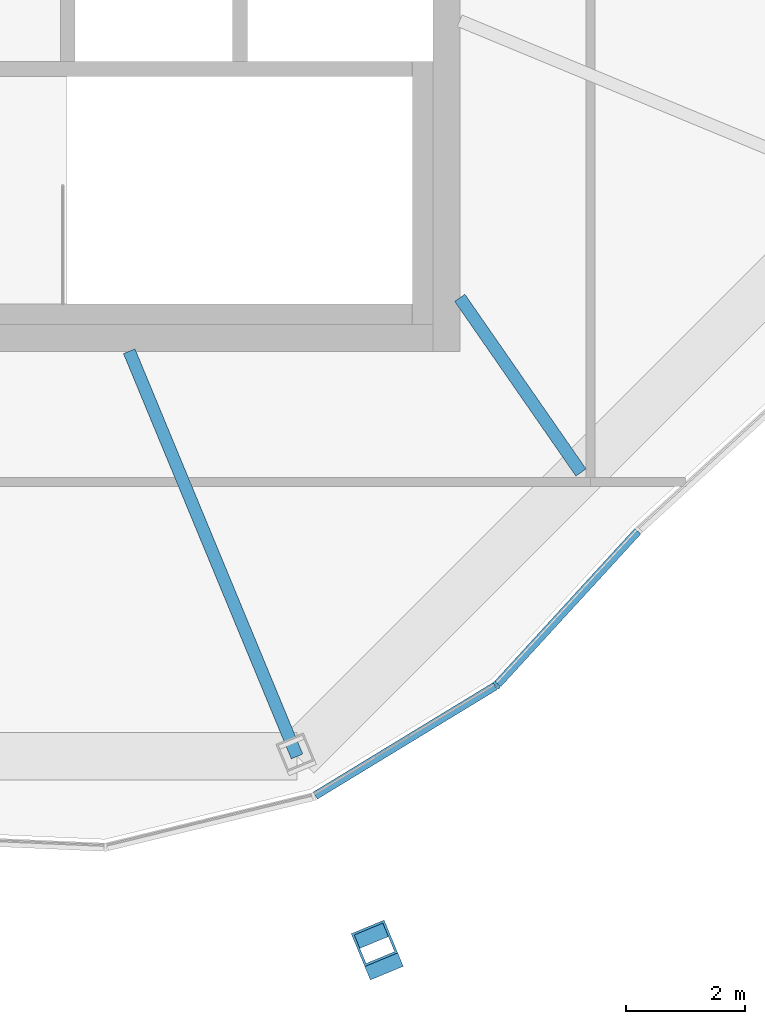
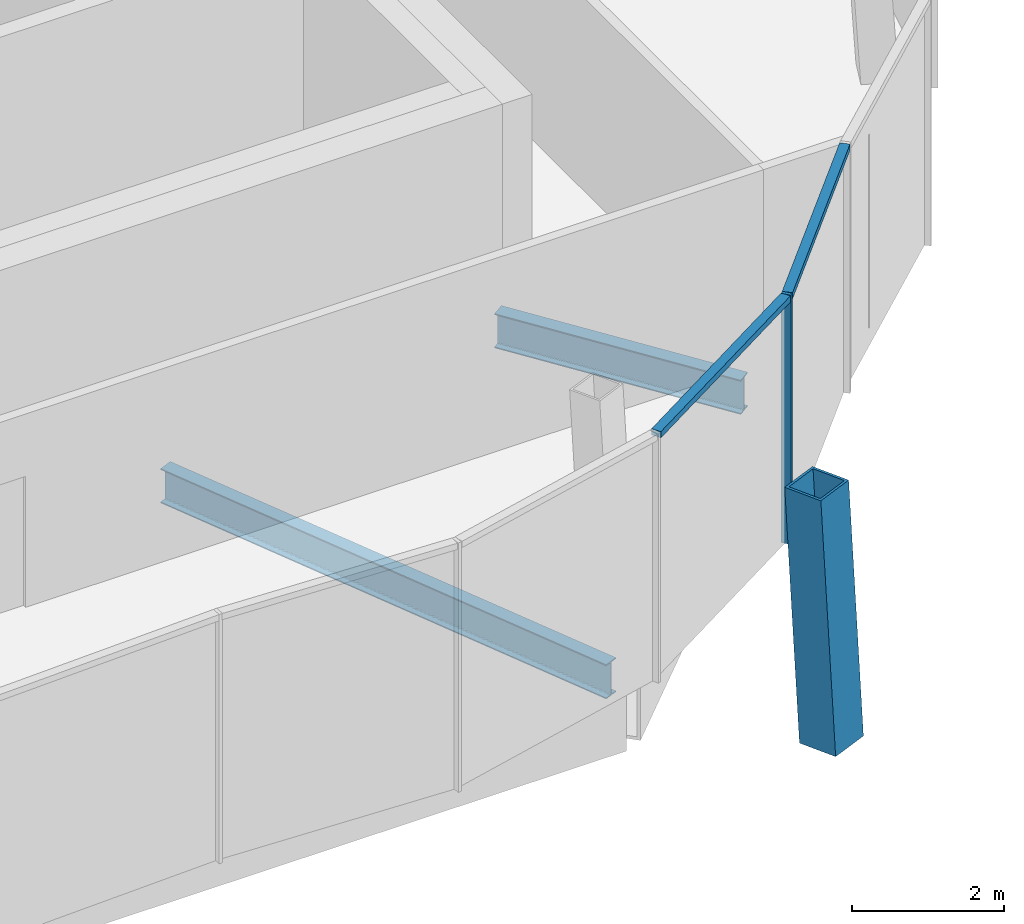
# One storey, part 3 of 23: 4 members, 2 beams, 1 element without a shape of its own.
"""IFC4 building model written with IfcOpenShell, lengths in metres."""

import ifcopenshell
import ifcopenshell.guid

model = None  # the IFC model being written
_history = None  # IfcOwnerHistory: only IFC2X3 demands one
_inside = {}  # id of a spatial element -> (the spatial element, [elements in it])
_under = {}  # id of a project, library or spatial element -> (it, [spatial elements below it])
_declared = {}  # id of a project -> (the project, [libraries it declares])
_typed = {}  # id of a type object -> (the type object, [elements of that type])
_made_of = {}  # id of a material, layer set ... -> (it, [elements and type objects made of it])


def new_model(schema):
    """Start an empty IFC model of exactly this schema.

    Asked for "IFC4X3", IfcOpenShell would pick the latest addendum, in which some entities
    have other attributes; the version numbers below select the first issue.
    IFC2X3 requires an IfcOwnerHistory on every rooted entity: one is made here for all.
    """
    global model, _history
    if schema == "IFC4X3":
        model = ifcopenshell.file(schema_version=(4, 3, 0, 0))
    else:
        model = ifcopenshell.file(schema=schema)
    _inside.clear()
    _under.clear()
    _declared.clear()
    _typed.clear()
    _made_of.clear()
    _history = None
    if model.schema == "IFC2X3":
        org = make("IfcOrganization", Name="unknown")
        user = make(
            "IfcPersonAndOrganization",
            ThePerson=make("IfcPerson", FamilyName="unknown"),
            TheOrganization=org,
        )
        app = make(
            "IfcApplication",
            ApplicationDeveloper=org,
            Version="unknown",
            ApplicationFullName="unknown",
            ApplicationIdentifier="unknown",
        )
        _history = make(
            "IfcOwnerHistory",
            OwningUser=user,
            OwningApplication=app,
            ChangeAction="ADDED",
            CreationDate=0,
        )
    return model


def make(cls, **values):
    """One entity of the class cls with the attributes given. An attribute that is None is left unset."""
    return model.create_entity(
        cls, **{name: value for name, value in values.items() if value is not None}
    )


def rooted(cls, **values):
    """An entity with a GlobalId (a new one), such as an element, a storey or a relation."""
    return make(cls, GlobalId=ifcopenshell.guid.new(), OwnerHistory=_history, **values)


def si_unit(unit_type, name, prefix=None):
    """IfcSIUnit, for example si_unit("LENGTHUNIT", "METRE", prefix="MILLI")."""
    return make("IfcSIUnit", UnitType=unit_type, Prefix=prefix, Name=name)


def assignment(units):
    """IfcUnitAssignment: the units of a project."""
    return None if units is None else make("IfcUnitAssignment", Units=units)


def point(xyz):
    """IfcCartesianPoint."""
    return None if xyz is None else make("IfcCartesianPoint", Coordinates=xyz)


def direction(xyz):
    """IfcDirection."""
    return None if xyz is None else make("IfcDirection", DirectionRatios=xyz)


def frame(location, z_axis=None, x_axis=None):
    """IfcAxis2Placement3D, a coordinate frame: its origin and axes. An axis left out is left unset."""
    return make(
        "IfcAxis2Placement3D",
        Location=point(location),
        Axis=direction(z_axis),
        RefDirection=direction(x_axis),
    )


def frame_2d(location, x_axis=None):
    """IfcAxis2Placement2D, a coordinate frame in the plane: its origin and x axis."""
    return make(
        "IfcAxis2Placement2D", Location=point(location), RefDirection=direction(x_axis)
    )


def origin():
    """The frame at (0, 0, 0) with its axes left unset."""
    return frame((0.0, 0.0, 0.0))


def origin_2d():
    """The frame at (0, 0) in the plane with its x axis left unset."""
    return frame_2d((0.0, 0.0))


def place(relative_to, where):
    """IfcLocalPlacement: puts the frame where relative to a parent placement (None: the world)."""
    return make(
        "IfcLocalPlacement", PlacementRelTo=relative_to, RelativePlacement=where
    )


def context(
    kind, dimensions, precision=None, world=None, true_north=None, identifier=None
):
    """IfcGeometricRepresentationContext, for example the 3D "Model" context."""
    return make(
        "IfcGeometricRepresentationContext",
        ContextIdentifier=identifier,
        ContextType=kind,
        CoordinateSpaceDimension=dimensions,
        Precision=precision,
        WorldCoordinateSystem=world,
        TrueNorth=true_north,
    )


def subcontext(parent, identifier, kind, view, scale=None):
    """IfcGeometricRepresentationSubContext, for example "Body" below "Model"."""
    return make(
        "IfcGeometricRepresentationSubContext",
        ContextIdentifier=identifier,
        ContextType=kind,
        ParentContext=parent,
        TargetScale=scale,
        TargetView=view,
    )


def project(units=None, contexts=None):
    """IfcProject with its units and contexts."""
    return rooted(
        "IfcProject",
        Name="project",
        RepresentationContexts=contexts,
        UnitsInContext=assignment(units),
    )


def spatial(cls, under=None, at=None, **own):
    """A site, building, storey or space (cls), placed at a placement, below another one or the project."""
    s = rooted(cls, ObjectPlacement=at, **own)
    if under is not None:
        _under.setdefault(under.id(), (under, []))[1].append(s)
    return s


def profile(cls, at=None, kind="AREA", **sizes):
    """A parametric profile (cls). Its sizes go by their IFC names, for example OverallWidth=200.0."""
    return make(cls, ProfileType=kind, Position=at, **sizes)


def rectangle(**sizes):
    """IfcRectangleProfileDef."""
    return profile("IfcRectangleProfileDef", **sizes)


def hollow_rectangle(**sizes):
    """IfcRectangleHollowProfileDef."""
    return profile("IfcRectangleHollowProfileDef", **sizes)


def i_section(**sizes):
    """IfcIShapeProfileDef."""
    return profile("IfcIShapeProfileDef", **sizes)


def extrude(swept, where, along, depth):
    """IfcExtrudedAreaSolid: the profile swept, set in the frame where, extruded along a direction by depth."""
    return make(
        "IfcExtrudedAreaSolid",
        SweptArea=swept,
        Position=where,
        ExtrudedDirection=direction(along),
        Depth=depth,
    )


def shape(context_of_items, identifier, shape_type, items):
    """IfcShapeRepresentation: the items that make up one representation, for example the "Body"."""
    return make(
        "IfcShapeRepresentation",
        ContextOfItems=context_of_items,
        RepresentationIdentifier=identifier,
        RepresentationType=shape_type,
        Items=items,
    )


def material(Name=None, Category=None):
    """IfcMaterial."""
    return make("IfcMaterial", Name=Name, Category=Category)


def material_profile(
    of_material, cross_section, Name=None, Category=None, Priority=None
):
    """IfcMaterialProfile: a cross section and its material."""
    return make(
        "IfcMaterialProfile",
        Name=Name,
        Material=of_material,
        Profile=cross_section,
        Priority=Priority,
        Category=Category,
    )


def profile_set(profiles, Name=None, composite=None):
    """IfcMaterialProfileSet."""
    return make(
        "IfcMaterialProfileSet",
        Name=Name,
        MaterialProfiles=profiles,
        CompositeProfile=composite,
    )


def made_of(thing, what):
    """Note that an element or type object is made of a material, layer set ...; save() writes the relation."""
    if what is not None:
        _made_of.setdefault(what.id(), (what, []))[1].append(thing)
    return thing


def type_object(cls, material=None, **own):
    """A type object (cls), such as IfcWallType, which elements share."""
    return made_of(rooted(cls, **own), material)


def element(
    cls,
    number,
    at=None,
    inside=None,
    cuts=None,
    type_object=None,
    material=None,
    context=None,
    identifier="Body",
    shape_type=None,
    held_by="IfcProductDefinitionShape",
    body=None,
    shapes=None,
    **own,
):
    """One element of the class cls, such as IfcWall. Its Tag is "e" and its number.

    at: its placement. inside: the storey or other place that contains it. cuts: it is an
    opening in that element (IfcRelVoidsElement). A single representation is given by context,
    identifier, shape_type and body (its items); several are given by shapes. held_by: the class
    of the entity that holds the representations. save() writes the other relations.
    """
    e = rooted(cls, Tag="e%d" % number, ObjectPlacement=at, **own)
    if body is not None:
        shapes = [shape(context, identifier, shape_type, body)]
    if shapes is not None:
        e.Representation = make(held_by, Representations=shapes)
    if inside is not None:
        _inside.setdefault(inside.id(), (inside, []))[1].append(e)
    if cuts is not None:
        rooted(
            "IfcRelVoidsElement", RelatingBuildingElement=cuts, RelatedOpeningElement=e
        )
    if type_object is not None:
        _typed.setdefault(type_object.id(), (type_object, []))[1].append(e)
    return made_of(e, material)


def aggregate(whole, parts):
    """IfcRelAggregates: a whole, such as a stair, and the parts it consists of."""
    return rooted("IfcRelAggregates", RelatingObject=whole, RelatedObjects=parts)


def save(model, path):
    """Write the relations noted so far, then the file.

    IfcRelAggregates (storeys below a building ...), IfcRelContainedInSpatialStructure (elements
    in a storey), IfcRelDefinesByType, IfcRelAssociatesMaterial and IfcRelDeclares: one each for
    every whole, place, type object, material and project.
    """
    for whole, parts in _under.values():
        aggregate(whole, parts)
    for where, things in _inside.values():
        rooted(
            "IfcRelContainedInSpatialStructure",
            RelatedElements=things,
            RelatingStructure=where,
        )
    for kind, things in _typed.values():
        rooted("IfcRelDefinesByType", RelatedObjects=things, RelatingType=kind)
    for what, things in _made_of.values():
        rooted("IfcRelAssociatesMaterial", RelatedObjects=things, RelatingMaterial=what)
    for by, libraries in _declared.values():
        rooted("IfcRelDeclares", RelatingContext=by, RelatedDefinitions=libraries)
    model.write(path)


model = new_model("IFC4")

# Units and contexts
model_context = context("Model", 3, precision=1e-05, world=origin(), true_north=direction((0.0, 1.0)))
body_context = subcontext(model_context, "Body", "Model", "MODEL_VIEW")
ifc_project = project(units=[si_unit("LENGTHUNIT", "METRE"), si_unit("AREAUNIT", "SQUARE_METRE"), si_unit("VOLUMEUNIT", "CUBIC_METRE"), si_unit("PLANEANGLEUNIT", "RADIAN"), si_unit("MASSUNIT", "GRAM", prefix="KILO")], contexts=[model_context])

# Site, building, storey
site_placement = place(None, origin())
site = spatial("IfcSite", under=ifc_project, at=site_placement, CompositionType="ELEMENT")
building_placement = place(site_placement, origin())
building = spatial("IfcBuilding", under=site, at=building_placement, Name="Ogive Gate Towers", CompositionType="ELEMENT")
storey_placement = place(building_placement, frame((0.0, 0.0, 302.0)))
storey = spatial("IfcBuildingStorey", under=building, at=storey_placement, Name="L71", CompositionType="ELEMENT", Elevation=302.0)

# Curtain wall, members
ifc_material_1 = material(Name="Pale metal aluminium", Category="aluminium")
curtain_wall_type = type_object("IfcCurtainWallType", Name="Crown lean wall", PredefinedType="NOTDEFINED", material=ifc_material_1)
curtain_wall_placement = place(storey_placement, origin())
curtain_wall = element("IfcCurtainWall", 1, at=curtain_wall_placement, inside=storey, type_object=curtain_wall_type, Name="CW5 T1 ECW07", PredefinedType="NOTDEFINED")
ifc_material_profile_1 = material_profile(ifc_material_1, rectangle(XDim=0.139892578125, YDim=0.050048828125, at=origin_2d()), Name="50 x 140 aluminium box")
ifc_profile_set_1 = profile_set([ifc_material_profile_1], Name="Pale metal aluminium")
member_type_1 = type_object("IfcMemberType", Name="Crown lean wall mullion 50 x 140", PredefinedType="MULLION", material=ifc_profile_set_1)
member_1_placement = place(storey_placement, frame((-25.880615234375, -15.12158203125, -0.300048828125), z_axis=(0.0, 0.0, 1.0), x_axis=(-0.634784458636, 0.772689259065, 0.0)))
member_1 = element("IfcMember", 2, at=member_1_placement, type_object=member_type_1, Name="CW5 mullion", PredefinedType="MULLION", context=body_context, shape_type="SweptSolid", body=[
    extrude(rectangle(XDim=0.139892578125, YDim=0.050048828125, at=origin_2d()), origin(), (0.0, 0.0, 1.0), 4.0),
])
ifc_material_profile_2 = material_profile(ifc_material_1, rectangle(XDim=0.139892578125, YDim=0.10009765625, at=origin_2d()), Name="100 x 140 aluminium box")
ifc_profile_set_2 = profile_set([ifc_material_profile_2], Name="Pale metal aluminium")
member_type_2 = type_object("IfcMemberType", Name="Crown lean wall transom 100 x 140", PredefinedType="USERDEFINED", material=ifc_profile_set_2)
member_2_placement = place(storey_placement, frame((-23.503662109375, -12.52978515625, 3.64990234375), z_axis=(-0.675816552763, -0.73706986576, 0.0), x_axis=(0.73706986576, -0.675816552763, 0.0)))
member_2 = element("IfcMember", 3, at=member_2_placement, type_object=member_type_2, Name="CW5 transom", ObjectType="TRANSOM", PredefinedType="USERDEFINED", context=body_context, shape_type="SweptSolid", body=[
    extrude(rectangle(XDim=0.139892578125, YDim=0.10009765625, at=origin_2d()), origin(), (0.0, 0.0, 1.0), 3.487548828125),
])
member_3_placement = place(storey_placement, frame((-25.9052734375, -15.13720703125, 3.64990234375), z_axis=(-0.854250400088, -0.51986176427, 0.0), x_axis=(0.51986176427, -0.854250400088, 0.0)))
member_3 = element("IfcMember", 4, at=member_3_placement, type_object=member_type_2, Name="CW5 transom", ObjectType="TRANSOM", PredefinedType="USERDEFINED", context=body_context, shape_type="SweptSolid", body=[
    extrude(rectangle(XDim=0.139892578125, YDim=0.10009765625, at=origin_2d()), origin(), (0.0, 0.0, 1.0), 3.546142578125),
])
aggregate(curtain_wall, [member_1, member_2, member_3])

# Member
ifc_material_2 = material(Name="Steel SM460", Category="steel")
ifc_material_profile_3 = material_profile(ifc_material_2, hollow_rectangle(XDim=0.60009765625, YDim=0.60009765625, WallThickness=0.0400390625, at=origin_2d()), Name="BX 600x600x40")
ifc_profile_set_3 = profile_set([ifc_material_profile_3], Name="Steel SM460")
member_type_3 = type_object("IfcMemberType", Name="Crown rib BX 600x600x40", PredefinedType="MEMBER", material=ifc_profile_set_3)
member_4_placement = place(storey_placement, frame((-27.8427734375, -19.693115234375, 0.0), z_axis=(-0.02339375174, 0.056413057581, 0.998133407573), x_axis=(-0.923724896159, -0.383056544411, 0.0)))
element("IfcMember", 5, at=member_4_placement, inside=storey, type_object=member_type_3, Name="T1/L71/STR005", PredefinedType="MEMBER", context=body_context, shape_type="SweptSolid", body=[
    extrude(hollow_rectangle(XDim=0.60009765625, YDim=0.60009765625, WallThickness=0.0400390625, at=origin_2d()), origin(), (0.0, 0.0, 1.0), 4.007568359375),
])

# Beams
ifc_material_3 = material(Name="Steel SM355", Category="steel")
ifc_material_profile_4 = material_profile(ifc_material_3, i_section(OverallWidth=0.2099609375, OverallDepth=0.550048828125, WebThickness=0.010986328125, FlangeThickness=0.01708984375, FilletRadius=0.02392578125, at=origin_2d()), Name="IPE 550")
ifc_profile_set_4 = profile_set([ifc_material_profile_4], Name="Steel SM355")
beam_type = type_object("IfcBeamType", Name="Radial floor beam IPE 550", PredefinedType="BEAM", material=ifc_profile_set_4)
beam_1_placement = place(storey_placement, frame((-32.06494140625, -9.5, -0.574951171875), z_axis=(0.38267016282, -0.923885028825, 0.0), x_axis=(0.923885028825, 0.38267016282, 0.0)))
element("IfcBeam", 6, at=beam_1_placement, inside=storey, type_object=beam_type, Name="T1/L71/SBM005", PredefinedType="BEAM", context=body_context, shape_type="SweptSolid", body=[
    extrude(i_section(OverallWidth=0.2099609375, OverallDepth=0.550048828125, WebThickness=0.010986328125, FlangeThickness=0.01708984375, FilletRadius=0.02392578125, at=origin_2d()), origin(), (0.0, 0.0, 1.0), 7.38232421875),
])
beam_2_placement = place(storey_placement, frame((-26.5, -8.60009765625, -0.574951171875), z_axis=(0.570110680679, -0.821567898458, 0.0), x_axis=(0.821567898458, 0.570110680679, 0.0)))
element("IfcBeam", 7, at=beam_2_placement, inside=storey, type_object=beam_type, Name="T1/L71/SBM006", PredefinedType="BEAM", context=body_context, shape_type="SweptSolid", body=[
    extrude(i_section(OverallWidth=0.2099609375, OverallDepth=0.550048828125, WebThickness=0.010986328125, FlangeThickness=0.01708984375, FilletRadius=0.02392578125, at=origin_2d()), origin(), (0.0, 0.0, 1.0), 3.578857421875),
])

save(model, "model.ifc")
